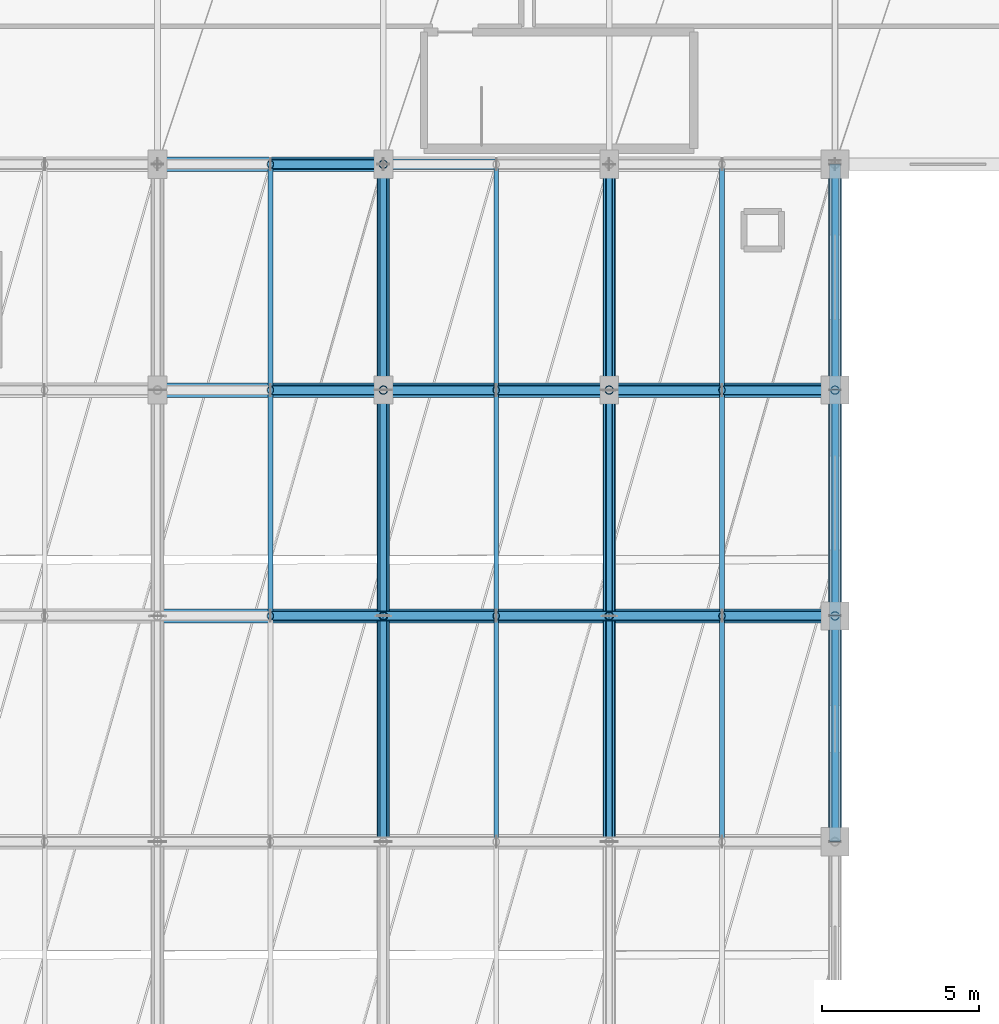
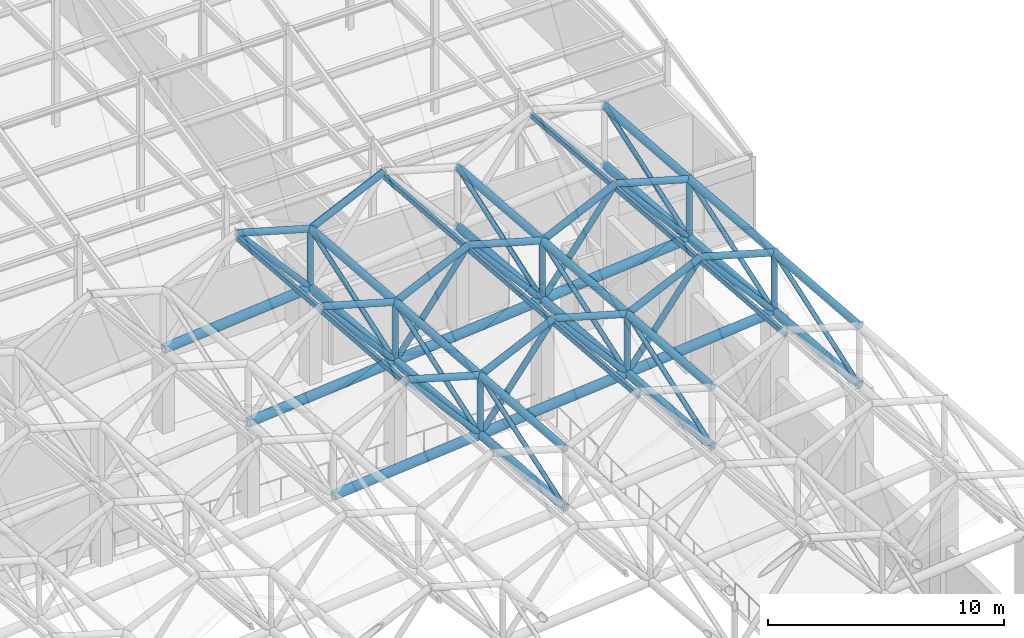
# One storey, part 26 of 113: 72 members.
"""IFC4 building model written with IfcOpenShell, lengths in metres."""

from ifc_helpers import new_model, si_unit, direction, frame, origin, origin_2d, place, context, subcontext, project, spatial, hollow_rectangle, hollow_circle, extrude, material, material_profile, profile_set, type_object, element, save


model = new_model("IFC4")

# Units and contexts
model_context = context("Model", 3, precision=1e-05, world=origin(), true_north=direction((0.0, 1.0)))
body_context = subcontext(model_context, "Body", "Model", "MODEL_VIEW")
ifc_project = project(units=[si_unit("LENGTHUNIT", "METRE"), si_unit("AREAUNIT", "SQUARE_METRE"), si_unit("VOLUMEUNIT", "CUBIC_METRE"), si_unit("PLANEANGLEUNIT", "RADIAN"), si_unit("MASSUNIT", "GRAM", prefix="KILO")], contexts=[model_context])

# Site, building, storey
site_placement = place(None, origin())
site = spatial("IfcSite", under=ifc_project, at=site_placement, CompositionType="ELEMENT")
building_placement = place(site_placement, origin())
building = spatial("IfcBuilding", under=site, at=building_placement, Name="Carrowvane Square Congress Hotel", CompositionType="ELEMENT")
storey_placement = place(building_placement, frame((0.0, 0.0, 15.0)))
storey = spatial("IfcBuildingStorey", under=building, at=storey_placement, Name="L03", CompositionType="ELEMENT", Elevation=15.0)

# Members
ifc_material_1 = material(Name="Steel S355", Category="steel")
ifc_material_profile_1 = material_profile(ifc_material_1, hollow_rectangle(XDim=0.14990234375, YDim=0.25, WallThickness=0.012451171875, at=origin_2d()), Name="RHS 250x150x12.5")
ifc_profile_set_1 = profile_set([ifc_material_profile_1], Name="Steel S355")
member_type_1 = type_object("IfcMemberType", Name="MEM-PR-RHS250", PredefinedType="PURLIN", material=ifc_profile_set_1)
member_1_placement = place(storey_placement, frame((44.0, 41.39990234375, 9.7099609375), z_axis=(0.0, 0.996867084951, -0.079094974189), x_axis=(-1.0, 0.0, 0.0)))
element("IfcMember", 1, at=member_1_placement, inside=storey, type_object=member_type_1, Name="Space-frame ridge purlin 482", PredefinedType="PURLIN", context=body_context, shape_type="SweptSolid", body=[
    extrude(hollow_rectangle(XDim=0.14990234375, YDim=0.25, WallThickness=0.012451171875, at=origin_2d()), origin(), (0.0, 0.0, 1.0), 7.222900390625),
])
for number, where, z_axis, x_axis, name in (
    (2, (44.0, 48.60009765625, 9.138671875), (0.0, 0.996864207606, -0.079131230206), (-1.0, 0.0, 0.0), "Space-frame ridge purlin 483"),
    (3, (51.199951171875, 34.199951171875, 10.9384765625), (0.0, 0.996866873479, -0.079097639413), (-1.0, 0.0, 0.0), "Space-frame ridge purlin 488"),
):
    element("IfcMember", number, at=place(storey_placement, frame(where, z_axis=z_axis, x_axis=x_axis)), inside=storey, type_object=member_type_1, Name=name, PredefinedType="PURLIN", context=body_context, shape_type="SweptSolid", body=[
        extrude(hollow_rectangle(XDim=0.14990234375, YDim=0.25, WallThickness=0.012451171875, at=origin_2d()), origin(), (0.0, 0.0, 1.0), 7.22265625),
    ])
member_2_placement = place(storey_placement, frame((51.199951171875, 41.39990234375, 10.3671875), z_axis=(0.0, 0.996864419257, -0.079128563864), x_axis=(-1.0, 0.0, 0.0)))
element("IfcMember", 4, at=member_2_placement, inside=storey, type_object=member_type_1, Name="Space-frame ridge purlin 489", PredefinedType="PURLIN", context=body_context, shape_type="SweptSolid", body=[
    extrude(hollow_rectangle(XDim=0.14990234375, YDim=0.25, WallThickness=0.012451171875, at=origin_2d()), origin(), (0.0, 0.0, 1.0), 7.222900390625),
])
for number, where, z_axis, x_axis, name in (
    (5, (51.199951171875, 48.60009765625, 9.795654296875), (0.0, 0.996866873479, -0.079097639413), (-1.0, 0.0, 0.0), "Space-frame ridge purlin 490"),
    (6, (58.39990234375, 34.199951171875, 11.595703125), (0.0, 0.996864207606, -0.079131230206), (-1.0, 0.0, 0.0), "Space-frame ridge purlin 495"),
):
    element("IfcMember", number, at=place(storey_placement, frame(where, z_axis=z_axis, x_axis=x_axis)), inside=storey, type_object=member_type_1, Name=name, PredefinedType="PURLIN", context=body_context, shape_type="SweptSolid", body=[
        extrude(hollow_rectangle(XDim=0.14990234375, YDim=0.25, WallThickness=0.012451171875, at=origin_2d()), origin(), (0.0, 0.0, 1.0), 7.22265625),
    ])
member_3_placement = place(storey_placement, frame((58.39990234375, 41.39990234375, 11.024169921875), z_axis=(0.0, 0.996867084951, -0.079094974189), x_axis=(-1.0, 0.0, 0.0)))
element("IfcMember", 7, at=member_3_placement, inside=storey, type_object=member_type_1, Name="Space-frame ridge purlin 496", PredefinedType="PURLIN", context=body_context, shape_type="SweptSolid", body=[
    extrude(hollow_rectangle(XDim=0.14990234375, YDim=0.25, WallThickness=0.012451171875, at=origin_2d()), origin(), (0.0, 0.0, 1.0), 7.222900390625),
])
member_4_placement = place(storey_placement, frame((58.39990234375, 48.60009765625, 10.452880859375), z_axis=(0.0, 0.996864207606, -0.079131230206), x_axis=(-1.0, 0.0, 0.0)))
element("IfcMember", 8, at=member_4_placement, inside=storey, type_object=member_type_1, Name="Space-frame ridge purlin 497", PredefinedType="PURLIN", context=body_context, shape_type="SweptSolid", body=[
    extrude(hollow_rectangle(XDim=0.14990234375, YDim=0.25, WallThickness=0.012451171875, at=origin_2d()), origin(), (0.0, 0.0, 1.0), 7.22265625),
])
ifc_material_2 = material(Name="Steel S355", Category="steel")
ifc_material_profile_2 = material_profile(ifc_material_2, hollow_circle(Radius=0.136474609375, WallThickness=0.01611328125, at=origin_2d()), Name="CHS 273.0x16")
ifc_profile_set_2 = profile_set([ifc_material_profile_2], Name="Steel S355")
member_type_2 = type_object("IfcMemberType", Name="MEM-ST-CHS273", PredefinedType="STRUT", material=ifc_profile_set_2)
for number, where, z_axis, x_axis, name in (
    (9, (47.60009765625, 41.39990234375, 5.8486328125), (0.0, 0.0, 1.0), (1.0, 0.0, 0.0), "Space-frame vertical post 543"),
    (10, (47.60009765625, 48.60009765625, 5.277099609375), (0.0, 0.0, 1.0), (1.0, 0.0, 0.0), "Space-frame vertical post 544"),
):
    element("IfcMember", number, at=place(storey_placement, frame(where, z_axis=z_axis, x_axis=x_axis)), inside=storey, type_object=member_type_2, Name=name, PredefinedType="STRUT", context=body_context, shape_type="SweptSolid", body=[
        extrude(hollow_circle(Radius=0.136474609375, WallThickness=0.01611328125, at=origin_2d()), origin(), (0.0, 0.0, 1.0), 3.050048828125),
    ])
member_5_placement = place(storey_placement, frame((47.60009765625, 55.800048828125, 4.705810546875), z_axis=(0.0, 0.0, 1.0), x_axis=(1.0, 0.0, 0.0)))
element("IfcMember", 11, at=member_5_placement, inside=storey, type_object=member_type_2, Name="Space-frame vertical post 545", PredefinedType="STRUT", context=body_context, shape_type="SweptSolid", body=[
    extrude(hollow_circle(Radius=0.136474609375, WallThickness=0.01611328125, at=origin_2d()), origin(), (0.0, 0.0, 1.0), 3.0498046875),
])
for number, where, z_axis, x_axis, name in (
    (12, (54.800048828125, 41.39990234375, 6.505615234375), (0.0, 0.0, 1.0), (1.0, 0.0, 0.0), "Space-frame vertical post 551"),
    (13, (54.800048828125, 48.60009765625, 5.934326171875), (0.0, 0.0, 1.0), (1.0, 0.0, 0.0), "Space-frame vertical post 552"),
    (14, (62.0, 41.39990234375, 7.162841796875), (0.0, 0.0, 1.0), (1.0, 0.0, 0.0), "Space-frame vertical post 559"),
    (15, (62.0, 48.60009765625, 6.59130859375), (0.0, 0.0, 1.0), (1.0, 0.0, 0.0), "Space-frame vertical post 560"),
):
    element("IfcMember", number, at=place(storey_placement, frame(where, z_axis=z_axis, x_axis=x_axis)), inside=storey, type_object=member_type_2, Name=name, PredefinedType="STRUT", context=body_context, shape_type="SweptSolid", body=[
        extrude(hollow_circle(Radius=0.136474609375, WallThickness=0.01611328125, at=origin_2d()), origin(), (0.0, 0.0, 1.0), 3.050048828125),
    ])
ifc_material_3 = material(Name="Steel S355", Category="steel")
ifc_material_profile_3 = material_profile(ifc_material_3, hollow_circle(Radius=0.161865234375, WallThickness=0.01611328125, at=origin_2d()), Name="CHS 323.9x16")
ifc_profile_set_3 = profile_set([ifc_material_profile_3], Name="Steel S355")
member_type_3 = type_object("IfcMemberType", Name="MEM-TC-CHS324", PredefinedType="CHORD", material=ifc_profile_set_3)
member_6_placement = place(storey_placement, frame((44.0, 41.39990234375, 9.929931640625), z_axis=(0.961336756204, 0.0, -0.275375454917), x_axis=(0.0, 1.0, 0.0)))
element("IfcMember", 16, at=member_6_placement, inside=storey, type_object=member_type_3, Name="Space-frame folded top chord 366", PredefinedType="CHORD", context=body_context, shape_type="SweptSolid", body=[
    extrude(hollow_circle(Radius=0.161865234375, WallThickness=0.01611328125, at=origin_2d()), origin(), (0.0, 0.0, 1.0), 3.744873046875),
])
member_7_placement = place(storey_placement, frame((47.60009765625, 41.39990234375, 8.898681640625), z_axis=(0.905357886231, 0.0, 0.424649382243), x_axis=(0.0, 1.0, 0.0)))
element("IfcMember", 17, at=member_7_placement, inside=storey, type_object=member_type_3, Name="Space-frame folded top chord 370", PredefinedType="CHORD", context=body_context, shape_type="SweptSolid", body=[
    extrude(hollow_circle(Radius=0.161865234375, WallThickness=0.01611328125, at=origin_2d()), origin(), (0.0, 0.0, 1.0), 3.97607421875),
])
member_8_placement = place(storey_placement, frame((51.199951171875, 41.39990234375, 10.587158203125), z_axis=(0.961319496164, 0.0, -0.275435702651), x_axis=(0.0, 1.0, 0.0)))
element("IfcMember", 18, at=member_8_placement, inside=storey, type_object=member_type_3, Name="Space-frame folded top chord 371", PredefinedType="CHORD", context=body_context, shape_type="SweptSolid", body=[
    extrude(hollow_circle(Radius=0.161865234375, WallThickness=0.01611328125, at=origin_2d()), origin(), (0.0, 0.0, 1.0), 3.744873046875),
])
member_9_placement = place(storey_placement, frame((54.800048828125, 41.39990234375, 9.5556640625), z_axis=(0.905334279236, 0.0, 0.424699709018), x_axis=(0.0, 1.0, 0.0)))
element("IfcMember", 19, at=member_9_placement, inside=storey, type_object=member_type_3, Name="Space-frame folded top chord 375", PredefinedType="CHORD", context=body_context, shape_type="SweptSolid", body=[
    extrude(hollow_circle(Radius=0.161865234375, WallThickness=0.01611328125, at=origin_2d()), origin(), (0.0, 0.0, 1.0), 3.976318359375),
])
for number, where, z_axis, x_axis, name in (
    (20, (58.39990234375, 41.39990234375, 11.244384765625), (0.961319496164, 0.0, -0.275435702651), (0.0, 1.0, 0.0), "Space-frame folded top chord 376"),
    (21, (44.0, 48.60009765625, 9.358642578125), (0.961319496164, 0.0, -0.275435702651), (0.0, 1.0, 0.0), "Space-frame folded top chord 401"),
):
    element("IfcMember", number, at=place(storey_placement, frame(where, z_axis=z_axis, x_axis=x_axis)), inside=storey, type_object=member_type_3, Name=name, PredefinedType="CHORD", context=body_context, shape_type="SweptSolid", body=[
        extrude(hollow_circle(Radius=0.161865234375, WallThickness=0.01611328125, at=origin_2d()), origin(), (0.0, 0.0, 1.0), 3.744873046875),
    ])
member_10_placement = place(storey_placement, frame((47.60009765625, 48.60009765625, 8.3271484375), z_axis=(0.905357886231, 0.0, 0.424649382243), x_axis=(0.0, 1.0, 0.0)))
element("IfcMember", 22, at=member_10_placement, inside=storey, type_object=member_type_3, Name="Space-frame folded top chord 405", PredefinedType="CHORD", context=body_context, shape_type="SweptSolid", body=[
    extrude(hollow_circle(Radius=0.161865234375, WallThickness=0.01611328125, at=origin_2d()), origin(), (0.0, 0.0, 1.0), 3.97607421875),
])
member_11_placement = place(storey_placement, frame((51.199951171875, 48.60009765625, 10.015625), z_axis=(0.961336756204, 0.0, -0.275375454917), x_axis=(0.0, 1.0, 0.0)))
element("IfcMember", 23, at=member_11_placement, inside=storey, type_object=member_type_3, Name="Space-frame folded top chord 406", PredefinedType="CHORD", context=body_context, shape_type="SweptSolid", body=[
    extrude(hollow_circle(Radius=0.161865234375, WallThickness=0.01611328125, at=origin_2d()), origin(), (0.0, 0.0, 1.0), 3.744873046875),
])
member_12_placement = place(storey_placement, frame((54.800048828125, 48.60009765625, 8.984375), z_axis=(0.905357886231, 0.0, 0.424649382243), x_axis=(0.0, 1.0, 0.0)))
element("IfcMember", 24, at=member_12_placement, inside=storey, type_object=member_type_3, Name="Space-frame folded top chord 410", PredefinedType="CHORD", context=body_context, shape_type="SweptSolid", body=[
    extrude(hollow_circle(Radius=0.161865234375, WallThickness=0.01611328125, at=origin_2d()), origin(), (0.0, 0.0, 1.0), 3.97607421875),
])
for number, where, z_axis, x_axis, name in (
    (25, (58.39990234375, 48.60009765625, 10.6728515625), (0.961319496164, 0.0, -0.275435702651), (0.0, 1.0, 0.0), "Space-frame folded top chord 411"),
    (26, (44.0, 55.800048828125, 8.787109375), (0.961319496164, 0.0, -0.275435702651), (0.0, 1.0, 0.0), "Space-frame folded top chord 436"),
):
    element("IfcMember", number, at=place(storey_placement, frame(where, z_axis=z_axis, x_axis=x_axis)), inside=storey, type_object=member_type_3, Name=name, PredefinedType="CHORD", context=body_context, shape_type="SweptSolid", body=[
        extrude(hollow_circle(Radius=0.161865234375, WallThickness=0.01611328125, at=origin_2d()), origin(), (0.0, 0.0, 1.0), 3.744873046875),
    ])
member_13_placement = place(storey_placement, frame((47.60009765625, 55.800048828125, 7.755615234375), z_axis=(0.905334279236, 0.0, 0.424699709018), x_axis=(0.0, 1.0, 0.0)))
element("IfcMember", 27, at=member_13_placement, inside=storey, type_object=member_type_3, Name="Space-frame folded top chord 440", PredefinedType="CHORD", context=body_context, shape_type="SweptSolid", body=[
    extrude(hollow_circle(Radius=0.161865234375, WallThickness=0.01611328125, at=origin_2d()), origin(), (0.0, 0.0, 1.0), 3.976318359375),
])
ifc_material_4 = material(Name="Steel S355", Category="steel")
ifc_material_profile_4 = material_profile(ifc_material_4, hollow_circle(Radius=0.177734375, WallThickness=0.02001953125, at=origin_2d()), Name="CHS 355.6x20")
ifc_profile_set_4 = profile_set([ifc_material_profile_4], Name="Steel S355")
member_type_4 = type_object("IfcMemberType", Name="MEM-TC-CHS356", PredefinedType="CHORD", material=ifc_profile_set_4)
member_14_placement = place(storey_placement, frame((47.60009765625, 34.199951171875, 9.469970703125), z_axis=(0.0, 0.996866873479, -0.079097639413), x_axis=(-1.0, 0.0, 0.0)))
element("IfcMember", 28, at=member_14_placement, inside=storey, type_object=member_type_4, Name="Space-frame valley top chord 118", PredefinedType="CHORD", context=body_context, shape_type="SweptSolid", body=[
    extrude(hollow_circle(Radius=0.177734375, WallThickness=0.02001953125, at=origin_2d()), origin(), (0.0, 0.0, 1.0), 7.22265625),
])
member_15_placement = place(storey_placement, frame((47.60009765625, 41.39990234375, 8.898681640625), z_axis=(0.0, 0.996864419257, -0.079128563864), x_axis=(-1.0, 0.0, 0.0)))
element("IfcMember", 29, at=member_15_placement, inside=storey, type_object=member_type_4, Name="Space-frame valley top chord 121", PredefinedType="CHORD", context=body_context, shape_type="SweptSolid", body=[
    extrude(hollow_circle(Radius=0.177734375, WallThickness=0.02001953125, at=origin_2d()), origin(), (0.0, 0.0, 1.0), 7.222900390625),
])
for number, where, z_axis, x_axis, name in (
    (30, (47.60009765625, 48.60009765625, 8.3271484375), (0.0, 0.996864207606, -0.079131230206), (-1.0, 0.0, 0.0), "Space-frame valley top chord 124"),
    (31, (54.800048828125, 34.199951171875, 10.127197265625), (0.0, 0.996864207606, -0.079131230206), (-1.0, 0.0, 0.0), "Space-frame valley top chord 139"),
):
    element("IfcMember", number, at=place(storey_placement, frame(where, z_axis=z_axis, x_axis=x_axis)), inside=storey, type_object=member_type_4, Name=name, PredefinedType="CHORD", context=body_context, shape_type="SweptSolid", body=[
        extrude(hollow_circle(Radius=0.177734375, WallThickness=0.02001953125, at=origin_2d()), origin(), (0.0, 0.0, 1.0), 7.22265625),
    ])
member_16_placement = place(storey_placement, frame((54.800048828125, 41.39990234375, 9.5556640625), z_axis=(0.0, 0.996867084951, -0.079094974189), x_axis=(-1.0, 0.0, 0.0)))
element("IfcMember", 32, at=member_16_placement, inside=storey, type_object=member_type_4, Name="Space-frame valley top chord 142", PredefinedType="CHORD", context=body_context, shape_type="SweptSolid", body=[
    extrude(hollow_circle(Radius=0.177734375, WallThickness=0.02001953125, at=origin_2d()), origin(), (0.0, 0.0, 1.0), 7.222900390625),
])
for number, where, z_axis, x_axis, name in (
    (33, (54.800048828125, 48.60009765625, 8.984375), (0.0, 0.996864207606, -0.079131230206), (-1.0, 0.0, 0.0), "Space-frame valley top chord 145"),
    (34, (62.0, 34.199951171875, 10.7841796875), (0.0, 0.996866873479, -0.079097639413), (-1.0, 0.0, 0.0), "Space-frame valley top chord 160"),
):
    element("IfcMember", number, at=place(storey_placement, frame(where, z_axis=z_axis, x_axis=x_axis)), inside=storey, type_object=member_type_4, Name=name, PredefinedType="CHORD", context=body_context, shape_type="SweptSolid", body=[
        extrude(hollow_circle(Radius=0.177734375, WallThickness=0.02001953125, at=origin_2d()), origin(), (0.0, 0.0, 1.0), 7.22265625),
    ])
member_17_placement = place(storey_placement, frame((62.0, 41.39990234375, 10.212890625), z_axis=(0.0, 0.996864419257, -0.079128563864), x_axis=(-1.0, 0.0, 0.0)))
element("IfcMember", 35, at=member_17_placement, inside=storey, type_object=member_type_4, Name="Space-frame valley top chord 163", PredefinedType="CHORD", context=body_context, shape_type="SweptSolid", body=[
    extrude(hollow_circle(Radius=0.177734375, WallThickness=0.02001953125, at=origin_2d()), origin(), (0.0, 0.0, 1.0), 7.222900390625),
])
member_18_placement = place(storey_placement, frame((62.0, 48.60009765625, 9.641357421875), z_axis=(0.0, 0.996866873479, -0.079097639413), x_axis=(-1.0, 0.0, 0.0)))
element("IfcMember", 36, at=member_18_placement, inside=storey, type_object=member_type_4, Name="Space-frame valley top chord 166", PredefinedType="CHORD", context=body_context, shape_type="SweptSolid", body=[
    extrude(hollow_circle(Radius=0.177734375, WallThickness=0.02001953125, at=origin_2d()), origin(), (0.0, 0.0, 1.0), 7.22265625),
])
ifc_material_5 = material(Name="Steel S355", Category="steel")
ifc_material_profile_5 = material_profile(ifc_material_5, hollow_circle(Radius=0.203125, WallThickness=0.02001953125, at=origin_2d()), Name="CHS 406.4x20")
ifc_profile_set_5 = profile_set([ifc_material_profile_5], Name="Steel S355")
member_type_5 = type_object("IfcMemberType", Name="MEM-TC-CHS406", PredefinedType="CHORD", material=ifc_profile_set_5)
member_19_placement = place(storey_placement, frame((47.60009765625, 34.199951171875, 6.419921875), z_axis=(0.0, 0.996866873479, -0.079097639413), x_axis=(-1.0, 0.0, 0.0)))
element("IfcMember", 37, at=member_19_placement, inside=storey, type_object=member_type_5, Name="Space-frame bottom chord 119", PredefinedType="CHORD", context=body_context, shape_type="SweptSolid", body=[
    extrude(hollow_circle(Radius=0.203125, WallThickness=0.02001953125, at=origin_2d()), origin(), (0.0, 0.0, 1.0), 7.22265625),
])
member_20_placement = place(storey_placement, frame((47.60009765625, 41.39990234375, 5.8486328125), z_axis=(0.0, 0.996864419257, -0.079128563864), x_axis=(-1.0, 0.0, 0.0)))
element("IfcMember", 38, at=member_20_placement, inside=storey, type_object=member_type_5, Name="Space-frame bottom chord 122", PredefinedType="CHORD", context=body_context, shape_type="SweptSolid", body=[
    extrude(hollow_circle(Radius=0.203125, WallThickness=0.02001953125, at=origin_2d()), origin(), (0.0, 0.0, 1.0), 7.222900390625),
])
for number, where, z_axis, x_axis, name in (
    (39, (47.60009765625, 48.60009765625, 5.277099609375), (0.0, 0.996866873479, -0.079097639413), (-1.0, 0.0, 0.0), "Space-frame bottom chord 125"),
    (40, (54.800048828125, 34.199951171875, 7.0771484375), (0.0, 0.996864207606, -0.079131230206), (-1.0, 0.0, 0.0), "Space-frame bottom chord 140"),
):
    element("IfcMember", number, at=place(storey_placement, frame(where, z_axis=z_axis, x_axis=x_axis)), inside=storey, type_object=member_type_5, Name=name, PredefinedType="CHORD", context=body_context, shape_type="SweptSolid", body=[
        extrude(hollow_circle(Radius=0.203125, WallThickness=0.02001953125, at=origin_2d()), origin(), (0.0, 0.0, 1.0), 7.22265625),
    ])
member_21_placement = place(storey_placement, frame((54.800048828125, 41.39990234375, 6.505615234375), z_axis=(0.0, 0.996867084951, -0.079094974189), x_axis=(-1.0, 0.0, 0.0)))
element("IfcMember", 41, at=member_21_placement, inside=storey, type_object=member_type_5, Name="Space-frame bottom chord 143", PredefinedType="CHORD", context=body_context, shape_type="SweptSolid", body=[
    extrude(hollow_circle(Radius=0.203125, WallThickness=0.02001953125, at=origin_2d()), origin(), (0.0, 0.0, 1.0), 7.222900390625),
])
for number, where, z_axis, x_axis, name in (
    (42, (54.800048828125, 48.60009765625, 5.934326171875), (0.0, 0.996864207606, -0.079131230206), (-1.0, 0.0, 0.0), "Space-frame bottom chord 146"),
    (43, (62.0, 34.199951171875, 7.734375), (0.0, 0.996864207606, -0.079131230206), (-1.0, 0.0, 0.0), "Space-frame bottom chord 161"),
):
    element("IfcMember", number, at=place(storey_placement, frame(where, z_axis=z_axis, x_axis=x_axis)), inside=storey, type_object=member_type_5, Name=name, PredefinedType="CHORD", context=body_context, shape_type="SweptSolid", body=[
        extrude(hollow_circle(Radius=0.203125, WallThickness=0.02001953125, at=origin_2d()), origin(), (0.0, 0.0, 1.0), 7.22265625),
    ])
member_22_placement = place(storey_placement, frame((62.0, 41.39990234375, 7.162841796875), z_axis=(0.0, 0.996864419257, -0.079128563864), x_axis=(-1.0, 0.0, 0.0)))
element("IfcMember", 44, at=member_22_placement, inside=storey, type_object=member_type_5, Name="Space-frame bottom chord 164", PredefinedType="CHORD", context=body_context, shape_type="SweptSolid", body=[
    extrude(hollow_circle(Radius=0.203125, WallThickness=0.02001953125, at=origin_2d()), origin(), (0.0, 0.0, 1.0), 7.222900390625),
])
member_23_placement = place(storey_placement, frame((62.0, 48.60009765625, 6.59130859375), z_axis=(0.0, 0.996866873479, -0.079097639413), x_axis=(-1.0, 0.0, 0.0)))
element("IfcMember", 45, at=member_23_placement, inside=storey, type_object=member_type_5, Name="Space-frame bottom chord 167", PredefinedType="CHORD", context=body_context, shape_type="SweptSolid", body=[
    extrude(hollow_circle(Radius=0.203125, WallThickness=0.02001953125, at=origin_2d()), origin(), (0.0, 0.0, 1.0), 7.22265625),
])
ifc_material_6 = material(Name="Steel S355", Category="steel")
ifc_material_profile_6 = material_profile(ifc_material_6, hollow_circle(Radius=0.228515625, WallThickness=0.02490234375, at=origin_2d()), Name="CHS 457.0x25")
ifc_profile_set_6 = profile_set([ifc_material_profile_6], Name="Steel S355")
member_type_6 = type_object("IfcMemberType", Name="MEM-TC-CHS457", PredefinedType="CHORD", material=ifc_profile_set_6)
member_24_placement = place(storey_placement, frame((40.39990234375, 41.39990234375, 5.19140625), z_axis=(0.995859925891, 0.0, 0.090901089126), x_axis=(0.0, 1.0, 0.0)))
element("IfcMember", 46, at=member_24_placement, inside=storey, type_object=member_type_6, Name="Space-frame cross bottom chord 364", PredefinedType="CHORD", context=body_context, shape_type="SweptSolid", body=[
    extrude(hollow_circle(Radius=0.228515625, WallThickness=0.02490234375, at=origin_2d()), origin(), (0.0, 0.0, 1.0), 7.230224609375),
])
for number, where, z_axis, x_axis, name in (
    (47, (47.60009765625, 41.39990234375, 5.8486328125), (0.99586270327, 0.0, 0.090870656624), (0.0, 1.0, 0.0), "Space-frame cross bottom chord 369"),
    (48, (54.800048828125, 41.39990234375, 6.505615234375), (0.995859646859, 0.0, 0.090904145988), (0.0, 1.0, 0.0), "Space-frame cross bottom chord 374"),
):
    element("IfcMember", number, at=place(storey_placement, frame(where, z_axis=z_axis, x_axis=x_axis)), inside=storey, type_object=member_type_6, Name=name, PredefinedType="CHORD", context=body_context, shape_type="SweptSolid", body=[
        extrude(hollow_circle(Radius=0.228515625, WallThickness=0.02490234375, at=origin_2d()), origin(), (0.0, 0.0, 1.0), 7.22998046875),
    ])
member_25_placement = place(storey_placement, frame((40.39990234375, 48.60009765625, 4.6201171875), z_axis=(0.995862982098, 0.0, 0.090867600869), x_axis=(0.0, 1.0, 0.0)))
element("IfcMember", 49, at=member_25_placement, inside=storey, type_object=member_type_6, Name="Space-frame cross bottom chord 399", PredefinedType="CHORD", context=body_context, shape_type="SweptSolid", body=[
    extrude(hollow_circle(Radius=0.228515625, WallThickness=0.02490234375, at=origin_2d()), origin(), (0.0, 0.0, 1.0), 7.230224609375),
])
for number, where, z_axis, x_axis, name in (
    (50, (47.60009765625, 48.60009765625, 5.277099609375), (0.995859646859, 0.0, 0.090904145988), (0.0, 1.0, 0.0), "Space-frame cross bottom chord 404"),
    (51, (54.800048828125, 48.60009765625, 5.934326171875), (0.99586270327, 0.0, 0.090870656624), (0.0, 1.0, 0.0), "Space-frame cross bottom chord 409"),
):
    element("IfcMember", number, at=place(storey_placement, frame(where, z_axis=z_axis, x_axis=x_axis)), inside=storey, type_object=member_type_6, Name=name, PredefinedType="CHORD", context=body_context, shape_type="SweptSolid", body=[
        extrude(hollow_circle(Radius=0.228515625, WallThickness=0.02490234375, at=origin_2d()), origin(), (0.0, 0.0, 1.0), 7.22998046875),
    ])
member_26_placement = place(storey_placement, frame((40.39990234375, 55.800048828125, 4.048583984375), z_axis=(0.995859925891, 0.0, 0.090901089126), x_axis=(0.0, 1.0, 0.0)))
element("IfcMember", 52, at=member_26_placement, inside=storey, type_object=member_type_6, Name="Space-frame cross bottom chord 434", PredefinedType="CHORD", context=body_context, shape_type="SweptSolid", body=[
    extrude(hollow_circle(Radius=0.228515625, WallThickness=0.02490234375, at=origin_2d()), origin(), (0.0, 0.0, 1.0), 7.230224609375),
])
ifc_material_7 = material(Name="Steel S355", Category="steel")
ifc_material_profile_7 = material_profile(ifc_material_7, hollow_circle(Radius=0.109619140625, WallThickness=0.012451171875, at=origin_2d()), Name="CHS 219.1x12.5")
ifc_profile_set_7 = profile_set([ifc_material_profile_7], Name="Steel S355")
member_type_7 = type_object("IfcMemberType", Name="MEM-TD-CHS219", PredefinedType="BRACE", material=ifc_profile_set_7)
for number, where, z_axis, x_axis, name in (
    (53, (47.60009765625, 34.199951171875, 6.419921875), (0.0, 0.945534026813, 0.325523277415), (-1.0, 0.0, 0.0), "Space-frame web diagonal 120"),
    (54, (47.60009765625, 41.39990234375, 5.8486328125), (0.0, 0.945547291607, 0.325484745165), (-1.0, 0.0, 0.0), "Space-frame web diagonal 123"),
):
    element("IfcMember", number, at=place(storey_placement, frame(where, z_axis=z_axis, x_axis=x_axis)), inside=storey, type_object=member_type_7, Name=name, PredefinedType="BRACE", context=body_context, shape_type="SweptSolid", body=[
        extrude(hollow_circle(Radius=0.109619140625, WallThickness=0.012451171875, at=origin_2d()), origin(), (0.0, 0.0, 1.0), 7.61474609375),
    ])
for number, where, z_axis, x_axis, name in (
    (55, (47.60009765625, 48.60009765625, 5.277099609375), (0.0, 0.945543894884, 0.325494612623), (-1.0, 0.0, 0.0), "Space-frame web diagonal 126"),
    (56, (54.800048828125, 34.199951171875, 7.0771484375), (0.0, 0.945543894884, 0.325494612623), (-1.0, 0.0, 0.0), "Space-frame web diagonal 141"),
):
    element("IfcMember", number, at=place(storey_placement, frame(where, z_axis=z_axis, x_axis=x_axis)), inside=storey, type_object=member_type_7, Name=name, PredefinedType="BRACE", context=body_context, shape_type="SweptSolid", body=[
        extrude(hollow_circle(Radius=0.109619140625, WallThickness=0.012451171875, at=origin_2d()), origin(), (0.0, 0.0, 1.0), 7.614501953125),
    ])
member_27_placement = place(storey_placement, frame((54.800048828125, 41.39990234375, 6.505615234375), z_axis=(0.0, 0.945537424098, 0.325513409293), x_axis=(-1.0, 0.0, 0.0)))
element("IfcMember", 57, at=member_27_placement, inside=storey, type_object=member_type_7, Name="Space-frame web diagonal 144", PredefinedType="BRACE", context=body_context, shape_type="SweptSolid", body=[
    extrude(hollow_circle(Radius=0.109619140625, WallThickness=0.012451171875, at=origin_2d()), origin(), (0.0, 0.0, 1.0), 7.614990234375),
])
for number, where, z_axis, x_axis, name in (
    (58, (54.800048828125, 48.60009765625, 5.934326171875), (0.0, 0.945543894884, 0.325494612623), (-1.0, 0.0, 0.0), "Space-frame web diagonal 147"),
    (59, (62.0, 34.199951171875, 7.734375), (0.0, 0.945543894884, 0.325494612623), (-1.0, 0.0, 0.0), "Space-frame web diagonal 162"),
):
    element("IfcMember", number, at=place(storey_placement, frame(where, z_axis=z_axis, x_axis=x_axis)), inside=storey, type_object=member_type_7, Name=name, PredefinedType="BRACE", context=body_context, shape_type="SweptSolid", body=[
        extrude(hollow_circle(Radius=0.109619140625, WallThickness=0.012451171875, at=origin_2d()), origin(), (0.0, 0.0, 1.0), 7.614501953125),
    ])
for number, where, z_axis, x_axis, name in (
    (60, (62.0, 41.39990234375, 7.162841796875), (0.0, 0.945547291607, 0.325484745165), (-1.0, 0.0, 0.0), "Space-frame web diagonal 165"),
    (61, (62.0, 48.60009765625, 6.59130859375), (0.0, 0.945534026813, 0.325523277415), (-1.0, 0.0, 0.0), "Space-frame web diagonal 168"),
):
    element("IfcMember", number, at=place(storey_placement, frame(where, z_axis=z_axis, x_axis=x_axis)), inside=storey, type_object=member_type_7, Name=name, PredefinedType="BRACE", context=body_context, shape_type="SweptSolid", body=[
        extrude(hollow_circle(Radius=0.109619140625, WallThickness=0.012451171875, at=origin_2d()), origin(), (0.0, 0.0, 1.0), 7.61474609375),
    ])
ifc_material_8 = material(Name="Steel S355", Category="steel")
ifc_material_profile_8 = material_profile(ifc_material_8, hollow_circle(Radius=0.136474609375, WallThickness=0.01611328125, at=origin_2d()), Name="CHS 273.0x16")
ifc_profile_set_8 = profile_set([ifc_material_profile_8], Name="Steel S355")
member_type_8 = type_object("IfcMemberType", Name="MEM-TD-CHS273", PredefinedType="BRACE", material=ifc_profile_set_8)
member_28_placement = place(storey_placement, frame((47.60009765625, 41.39990234375, 5.8486328125), z_axis=(-0.66151331907, 0.0, 0.749933416173), x_axis=(0.0, -1.0, 0.0)))
element("IfcMember", 62, at=member_28_placement, inside=storey, type_object=member_type_8, Name="Space-frame space diagonal 368", PredefinedType="BRACE", context=body_context, shape_type="SweptSolid", body=[
    extrude(hollow_circle(Radius=0.136474609375, WallThickness=0.01611328125, at=origin_2d()), origin(), (0.0, 0.0, 1.0), 5.442138671875),
])
member_29_placement = place(storey_placement, frame((47.60009765625, 41.39990234375, 5.8486328125), z_axis=(0.604931384673, 0.0, 0.796277602246), x_axis=(0.0, 1.0, 0.0)))
element("IfcMember", 63, at=member_29_placement, inside=storey, type_object=member_type_8, Name="Space-frame space diagonal 372", PredefinedType="BRACE", context=body_context, shape_type="SweptSolid", body=[
    extrude(hollow_circle(Radius=0.136474609375, WallThickness=0.01611328125, at=origin_2d()), origin(), (0.0, 0.0, 1.0), 5.950927734375),
])
member_30_placement = place(storey_placement, frame((54.800048828125, 41.39990234375, 6.505615234375), z_axis=(-0.661491064627, 0.0, 0.749953046143), x_axis=(0.0, -1.0, 0.0)))
element("IfcMember", 64, at=member_30_placement, inside=storey, type_object=member_type_8, Name="Space-frame space diagonal 373", PredefinedType="BRACE", context=body_context, shape_type="SweptSolid", body=[
    extrude(hollow_circle(Radius=0.136474609375, WallThickness=0.01611328125, at=origin_2d()), origin(), (0.0, 0.0, 1.0), 5.4423828125),
])
member_31_placement = place(storey_placement, frame((54.800048828125, 41.39990234375, 6.505615234375), z_axis=(0.604911623084, 0.0, 0.79629261472), x_axis=(0.0, 1.0, 0.0)))
element("IfcMember", 65, at=member_31_placement, inside=storey, type_object=member_type_8, Name="Space-frame space diagonal 377", PredefinedType="BRACE", context=body_context, shape_type="SweptSolid", body=[
    extrude(hollow_circle(Radius=0.136474609375, WallThickness=0.01611328125, at=origin_2d()), origin(), (0.0, 0.0, 1.0), 5.950927734375),
])
for number, where, z_axis, x_axis, name in (
    (66, (62.0, 41.39990234375, 7.162841796875), (-0.661491064627, 0.0, 0.749953046143), (0.0, -1.0, 0.0), "Space-frame space diagonal 378"),
    (67, (47.60009765625, 48.60009765625, 5.277099609375), (-0.661491064627, 0.0, 0.749953046143), (0.0, -1.0, 0.0), "Space-frame space diagonal 403"),
):
    element("IfcMember", number, at=place(storey_placement, frame(where, z_axis=z_axis, x_axis=x_axis)), inside=storey, type_object=member_type_8, Name=name, PredefinedType="BRACE", context=body_context, shape_type="SweptSolid", body=[
        extrude(hollow_circle(Radius=0.136474609375, WallThickness=0.01611328125, at=origin_2d()), origin(), (0.0, 0.0, 1.0), 5.4423828125),
    ])
member_32_placement = place(storey_placement, frame((47.60009765625, 48.60009765625, 5.277099609375), z_axis=(0.604931384673, 0.0, 0.796277602246), x_axis=(0.0, 1.0, 0.0)))
element("IfcMember", 68, at=member_32_placement, inside=storey, type_object=member_type_8, Name="Space-frame space diagonal 407", PredefinedType="BRACE", context=body_context, shape_type="SweptSolid", body=[
    extrude(hollow_circle(Radius=0.136474609375, WallThickness=0.01611328125, at=origin_2d()), origin(), (0.0, 0.0, 1.0), 5.950927734375),
])
member_33_placement = place(storey_placement, frame((54.800048828125, 48.60009765625, 5.934326171875), z_axis=(-0.66151331907, 0.0, 0.749933416173), x_axis=(0.0, -1.0, 0.0)))
element("IfcMember", 69, at=member_33_placement, inside=storey, type_object=member_type_8, Name="Space-frame space diagonal 408", PredefinedType="BRACE", context=body_context, shape_type="SweptSolid", body=[
    extrude(hollow_circle(Radius=0.136474609375, WallThickness=0.01611328125, at=origin_2d()), origin(), (0.0, 0.0, 1.0), 5.442138671875),
])
member_34_placement = place(storey_placement, frame((54.800048828125, 48.60009765625, 5.934326171875), z_axis=(0.604931384673, 0.0, 0.796277602246), x_axis=(0.0, 1.0, 0.0)))
element("IfcMember", 70, at=member_34_placement, inside=storey, type_object=member_type_8, Name="Space-frame space diagonal 412", PredefinedType="BRACE", context=body_context, shape_type="SweptSolid", body=[
    extrude(hollow_circle(Radius=0.136474609375, WallThickness=0.01611328125, at=origin_2d()), origin(), (0.0, 0.0, 1.0), 5.950927734375),
])
member_35_placement = place(storey_placement, frame((62.0, 48.60009765625, 6.59130859375), z_axis=(-0.661491064627, 0.0, 0.749953046143), x_axis=(0.0, -1.0, 0.0)))
element("IfcMember", 71, at=member_35_placement, inside=storey, type_object=member_type_8, Name="Space-frame space diagonal 413", PredefinedType="BRACE", context=body_context, shape_type="SweptSolid", body=[
    extrude(hollow_circle(Radius=0.136474609375, WallThickness=0.01611328125, at=origin_2d()), origin(), (0.0, 0.0, 1.0), 5.4423828125),
])
member_36_placement = place(storey_placement, frame((47.60009765625, 55.800048828125, 4.705810546875), z_axis=(-0.66151331907, 0.0, 0.749933416173), x_axis=(0.0, -1.0, 0.0)))
element("IfcMember", 72, at=member_36_placement, inside=storey, type_object=member_type_8, Name="Space-frame space diagonal 438", PredefinedType="BRACE", context=body_context, shape_type="SweptSolid", body=[
    extrude(hollow_circle(Radius=0.136474609375, WallThickness=0.01611328125, at=origin_2d()), origin(), (0.0, 0.0, 1.0), 5.442138671875),
])

save(model, "model.ifc")
